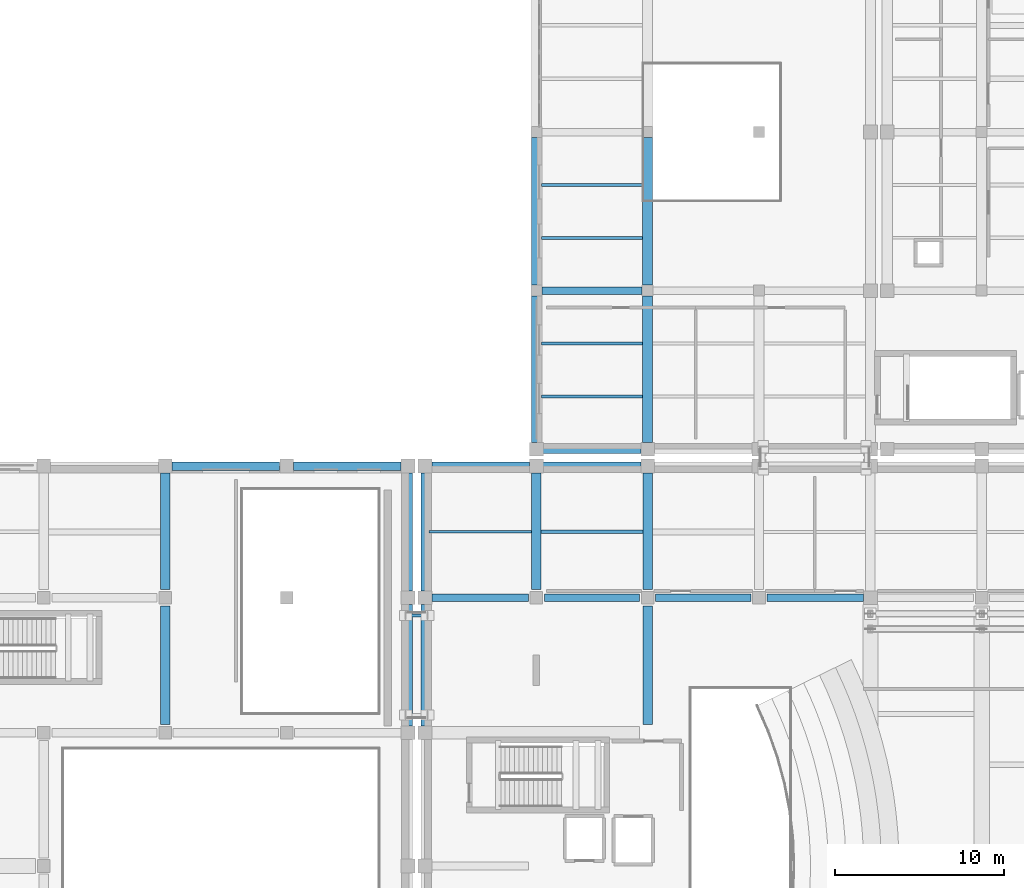
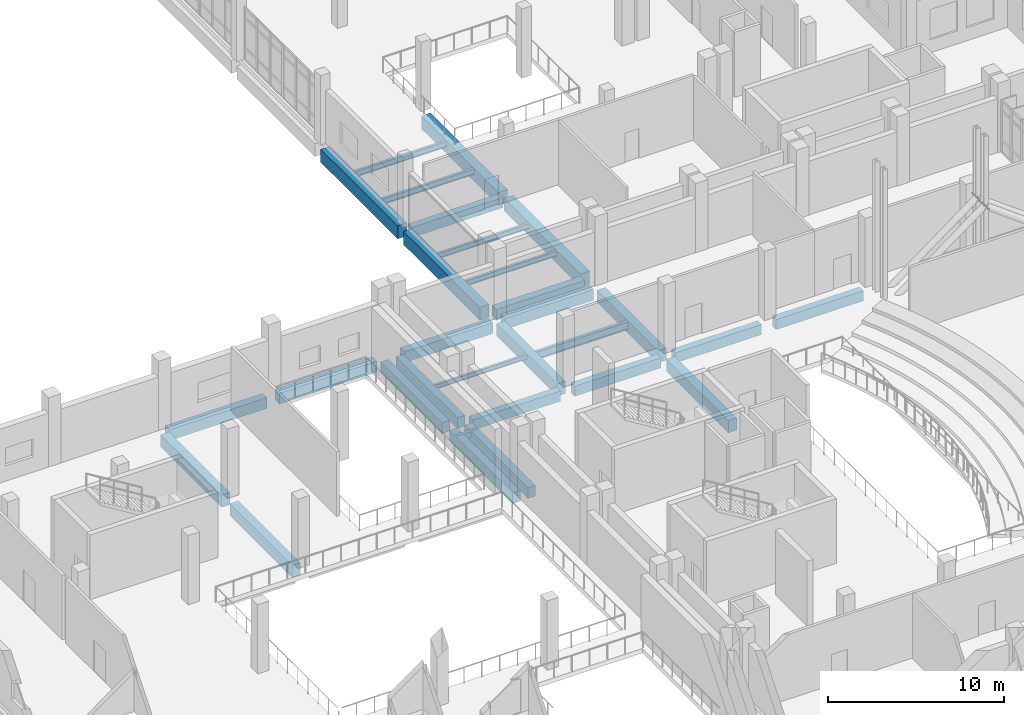
# One storey, part 25 of 73: 30 beams.
"""IFC4 building model written with IfcOpenShell, lengths in metres."""

from ifc_helpers import new_model, si_unit, direction, frame, origin, origin_2d, place, context, subcontext, project, spatial, rectangle, hollow_rectangle, i_section, extrude, material, material_profile, profile_set, type_object, element, save


model = new_model("IFC4")

# Units and contexts
model_context = context("Model", 3, precision=1e-05, world=origin(), true_north=direction((0.0, 1.0)))
body_context = subcontext(model_context, "Body", "Model", "MODEL_VIEW")
ifc_project = project(units=[si_unit("LENGTHUNIT", "METRE"), si_unit("AREAUNIT", "SQUARE_METRE"), si_unit("VOLUMEUNIT", "CUBIC_METRE"), si_unit("PLANEANGLEUNIT", "RADIAN"), si_unit("MASSUNIT", "GRAM", prefix="KILO")], contexts=[model_context])

# Site, building, storey
site_placement = place(None, origin())
site = spatial("IfcSite", under=ifc_project, at=site_placement, CompositionType="ELEMENT")
building_placement = place(site_placement, origin())
building = spatial("IfcBuilding", under=site, at=building_placement, Name="Kelarvand Opera House", CompositionType="ELEMENT")
storey_placement = place(building_placement, frame((0.0, 0.0, 10.199951171875)))
storey = spatial("IfcBuildingStorey", under=building, at=storey_placement, Name="L02", CompositionType="ELEMENT", Elevation=10.199951171875)

# Beams
ifc_material_1 = material(Name="Concrete C40/50", Category="concrete")
ifc_material_profile_1 = material_profile(ifc_material_1, rectangle(XDim=0.449951171875, YDim=0.699951171875, at=origin_2d()), Name="RC 450x700", Category="concrete")
ifc_profile_set_1 = profile_set([ifc_material_profile_1], Name="Concrete C40/50")
beam_type_1 = type_object("IfcBeamType", Name="Structural Beam RC 450x700 BM-RC450x700", PredefinedType="BEAM", material=ifc_profile_set_1)
beam_1_placement = place(storey_placement, frame((89.409912109375, 78.39990234375, -0.669921875), z_axis=(1.0, 0.0, 0.0), x_axis=(0.0, 1.0, 0.0)))
element("IfcBeam", 1, at=beam_1_placement, inside=storey, type_object=beam_type_1, Name="V1 L02 Beam BM-RC450x700", PredefinedType="BEAM", context=body_context, shape_type="SweptSolid", body=[
    extrude(rectangle(XDim=0.449951171875, YDim=0.699951171875, at=origin_2d()), origin(), (0.0, 0.0, 1.0), 5.715087890625),
])
beam_2_placement = place(storey_placement, frame((96.074951171875, 78.39990234375, -0.669921875), z_axis=(1.0, 0.0, 0.0), x_axis=(0.0, 1.0, 0.0)))
element("IfcBeam", 2, at=beam_2_placement, inside=storey, type_object=beam_type_1, Name="V1 L02 Beam BM-RC450x700", PredefinedType="BEAM", context=body_context, shape_type="SweptSolid", body=[
    extrude(rectangle(XDim=0.449951171875, YDim=0.699951171875, at=origin_2d()), origin(), (0.0, 0.0, 1.0), 5.650146484375),
])
beam_3_placement = place(storey_placement, frame((102.675048828125, 78.39990234375, -0.669921875), z_axis=(1.0, 0.0, 0.0), x_axis=(0.0, 1.0, 0.0)))
element("IfcBeam", 3, at=beam_3_placement, inside=storey, type_object=beam_type_1, Name="V1 L02 Beam BM-RC450x700", PredefinedType="BEAM", context=body_context, shape_type="SweptSolid", body=[
    extrude(rectangle(XDim=0.449951171875, YDim=0.699951171875, at=origin_2d()), origin(), (0.0, 0.0, 1.0), 5.64990234375),
])
beam_4_placement = place(storey_placement, frame((109.27490234375, 78.39990234375, -0.669921875), z_axis=(1.0, 0.0, 0.0), x_axis=(0.0, 1.0, 0.0)))
element("IfcBeam", 4, at=beam_4_placement, inside=storey, type_object=beam_type_1, Name="V1 L02 Beam BM-RC450x700", PredefinedType="BEAM", context=body_context, shape_type="SweptSolid", body=[
    extrude(rectangle(XDim=0.449951171875, YDim=0.699951171875, at=origin_2d()), origin(), (0.0, 0.0, 1.0), 5.715087890625),
])
beam_5_placement = place(storey_placement, frame((95.925048828125, 96.60009765625, -0.64990234375), z_axis=(1.0, 0.0, 0.0), x_axis=(0.0, 1.0, 0.0)))
element("IfcBeam", 5, at=beam_5_placement, inside=storey, type_object=beam_type_1, Name="V5 L02 Beam BM-RC450x700", PredefinedType="BEAM", context=body_context, shape_type="SweptSolid", body=[
    extrude(rectangle(XDim=0.449951171875, YDim=0.699951171875, at=origin_2d()), origin(), (0.0, 0.0, 1.0), 5.949951171875),
])
ifc_material_profile_2 = material_profile(ifc_material_1, rectangle(XDim=0.550048828125, YDim=0.85009765625, at=origin_2d()), Name="RC 550x850", Category="concrete")
ifc_profile_set_2 = profile_set([ifc_material_profile_2], Name="Concrete C40/50")
beam_type_2 = type_object("IfcBeamType", Name="Structural Beam RC 550x850 BM-RC550x850", PredefinedType="BEAM", material=ifc_profile_set_2)
beam_6_placement = place(storey_placement, frame((95.60009765625, 78.875, -0.744873046875), z_axis=(0.0, 1.0, 0.0), x_axis=(-1.0, 0.0, 0.0)))
element("IfcBeam", 6, at=beam_6_placement, inside=storey, type_object=beam_type_2, Name="V1 L02 Beam BM-RC550x850", PredefinedType="BEAM", context=body_context, shape_type="SweptSolid", body=[
    extrude(rectangle(XDim=0.550048828125, YDim=0.85009765625, at=origin_2d()), origin(), (0.0, 0.0, 1.0), 6.9150390625),
])
beam_7_placement = place(storey_placement, frame((102.199951171875, 70.875, -0.744873046875), z_axis=(0.0, 1.0, 0.0), x_axis=(-1.0, 0.0, 0.0)))
element("IfcBeam", 7, at=beam_7_placement, inside=storey, type_object=beam_type_2, Name="V1 L02 Beam BM-RC550x850", PredefinedType="BEAM", context=body_context, shape_type="SweptSolid", body=[
    extrude(rectangle(XDim=0.550048828125, YDim=0.85009765625, at=origin_2d()), origin(), (0.0, 0.0, 1.0), 7.050048828125),
])
beam_8_placement = place(storey_placement, frame((102.199951171875, 78.875, -0.744873046875), z_axis=(0.0, 1.0, 0.0), x_axis=(-1.0, 0.0, 0.0)))
element("IfcBeam", 8, at=beam_8_placement, inside=storey, type_object=beam_type_2, Name="V1 L02 Beam BM-RC550x850", PredefinedType="BEAM", context=body_context, shape_type="SweptSolid", body=[
    extrude(rectangle(XDim=0.550048828125, YDim=0.85009765625, at=origin_2d()), origin(), (0.0, 0.0, 1.0), 6.9150390625),
])
beam_9_placement = place(storey_placement, frame((73.60009765625, 70.875, -0.744873046875), z_axis=(0.0, 1.0, 0.0), x_axis=(-1.0, 0.0, 0.0)))
element("IfcBeam", 9, at=beam_9_placement, inside=storey, type_object=beam_type_2, Name="V2 L02 Beam BM-RC550x850", PredefinedType="BEAM", context=body_context, shape_type="SweptSolid", body=[
    extrude(rectangle(XDim=0.550048828125, YDim=0.85009765625, at=origin_2d()), origin(), (0.0, 0.0, 1.0), 7.050048828125),
])
beam_10_placement = place(storey_placement, frame((73.60009765625, 78.875, -0.744873046875), z_axis=(0.0, 1.0, 0.0), x_axis=(-1.0, 0.0, 0.0)))
element("IfcBeam", 10, at=beam_10_placement, inside=storey, type_object=beam_type_2, Name="V2 L02 Beam BM-RC550x850", PredefinedType="BEAM", context=body_context, shape_type="SweptSolid", body=[
    extrude(rectangle(XDim=0.550048828125, YDim=0.85009765625, at=origin_2d()), origin(), (0.0, 0.0, 1.0), 6.9150390625),
])
ifc_material_profile_3 = material_profile(ifc_material_1, rectangle(XDim=0.60009765625, YDim=0.89990234375, at=origin_2d()), Name="RC 600x900", Category="concrete")
ifc_profile_set_3 = profile_set([ifc_material_profile_3], Name="Concrete C40/50")
beam_type_3 = type_object("IfcBeamType", Name="Structural Beam RC 600x900 BM-RC600x900", PredefinedType="BEAM", material=ifc_profile_set_3)
beam_11_placement = place(storey_placement, frame((102.199951171875, 87.610107421875, -0.75), z_axis=(0.0, 1.0, 0.0), x_axis=(-1.0, 0.0, 0.0)))
element("IfcBeam", 11, at=beam_11_placement, inside=storey, type_object=beam_type_3, Name="V5 L02 Beam BM-RC600x900", PredefinedType="BEAM", context=body_context, shape_type="SweptSolid", body=[
    extrude(rectangle(XDim=0.60009765625, YDim=0.89990234375, at=origin_2d()), origin(), (0.0, 0.0, 1.0), 8.664794921875),
])
beam_12_placement = place(storey_placement, frame((102.199951171875, 96.925048828125, -0.75), z_axis=(0.0, 1.0, 0.0), x_axis=(-1.0, 0.0, 0.0)))
element("IfcBeam", 12, at=beam_12_placement, inside=storey, type_object=beam_type_3, Name="V5 L02 Beam BM-RC600x900", PredefinedType="BEAM", context=body_context, shape_type="SweptSolid", body=[
    extrude(rectangle(XDim=0.60009765625, YDim=0.89990234375, at=origin_2d()), origin(), (0.0, 0.0, 1.0), 8.75),
])
ifc_material_2 = material(Name="Steel S355", Category="steel")
ifc_material_profile_4 = material_profile(ifc_material_2, hollow_rectangle(XDim=0.199951171875, YDim=0.39990234375, WallThickness=0.01611328125, at=origin_2d()), Name="RHS 400x200x16.0", Category="steel")
ifc_profile_set_4 = profile_set([ifc_material_profile_4], Name="Steel S355")
beam_type_4 = type_object("IfcBeamType", Name="Structural Beam RHS 400x200x16.0 BM-RHS400", PredefinedType="BEAM", material=ifc_profile_set_4)
beam_13_placement = place(storey_placement, frame((87.85009765625, 77.35009765625, -0.52001953125), z_axis=(1.0, 0.0, 0.0), x_axis=(0.0, 1.0, 0.0)))
element("IfcBeam", 13, at=beam_13_placement, inside=storey, type_object=beam_type_4, Name="Seismic Sliding Corbel Beam BR-JP-N L02 2", PredefinedType="BEAM", context=body_context, shape_type="SweptSolid", body=[
    extrude(hollow_rectangle(XDim=0.199951171875, YDim=0.39990234375, WallThickness=0.01611328125, at=origin_2d()), origin(), (0.0, 0.0, 1.0), 1.2998046875),
])
ifc_material_profile_5 = material_profile(ifc_material_2, i_section(OverallWidth=0.14990234375, OverallDepth=0.300048828125, WebThickness=0.007080078125, FlangeThickness=0.0107421875, at=origin_2d()), Name="IPE 300", Category="steel")
ifc_profile_set_5 = profile_set([ifc_material_profile_5], Name="Steel S355")
beam_type_5 = type_object("IfcBeamType", Name="Structural Joist IPE 300 JS-IPE300", PredefinedType="JOIST", material=ifc_profile_set_5)
beam_14_placement = place(storey_placement, frame((89.25, 82.300048828125, -0.469970703125), z_axis=(1.0, 0.0, 0.0), x_axis=(0.0, 1.0, 0.0)))
element("IfcBeam", 14, at=beam_14_placement, inside=storey, type_object=beam_type_5, Name="V1 L02 Beam JS-IPE300", PredefinedType="JOIST", context=body_context, shape_type="SweptSolid", body=[
    extrude(i_section(OverallWidth=0.14990234375, OverallDepth=0.300048828125, WebThickness=0.007080078125, FlangeThickness=0.0107421875, at=origin_2d()), origin(), (0.0, 0.0, 1.0), 6.074951171875),
])
ifc_material_profile_6 = material_profile(ifc_material_2, i_section(OverallWidth=0.169921875, OverallDepth=0.360107421875, WebThickness=0.008056640625, FlangeThickness=0.0126953125, at=origin_2d()), Name="IPE 360", Category="steel")
ifc_profile_set_6 = profile_set([ifc_material_profile_6], Name="Steel S355")
beam_type_6 = type_object("IfcBeamType", Name="Structural Joist IPE 360 JS-IPE360", PredefinedType="JOIST", material=ifc_profile_set_6)
for number, where, z_axis, x_axis, name in (
    (15, (95.89990234375, 90.333251953125, -0.47998046875), (1.0, 0.0, 0.0), (0.0, 1.0, 0.0), "V5 L02 Beam JS-IPE360"),
    (16, (95.89990234375, 93.466796875, -0.47998046875), (1.0, 0.0, 0.0), (0.0, 1.0, 0.0), "V5 L02 Beam JS-IPE360"),
):
    element("IfcBeam", number, at=place(storey_placement, frame(where, z_axis=z_axis, x_axis=x_axis)), inside=storey, type_object=beam_type_6, Name=name, PredefinedType="JOIST", context=body_context, shape_type="SweptSolid", body=[
        extrude(i_section(OverallWidth=0.169921875, OverallDepth=0.360107421875, WebThickness=0.008056640625, FlangeThickness=0.0126953125, at=origin_2d()), origin(), (0.0, 0.0, 1.0), 6.0),
    ])
ifc_material_profile_7 = material_profile(ifc_material_2, i_section(OverallWidth=0.179931640625, OverallDepth=0.39990234375, WebThickness=0.008544921875, FlangeThickness=0.013427734375, at=origin_2d()), Name="IPE 400", Category="steel")
ifc_profile_set_7 = profile_set([ifc_material_profile_7], Name="Steel S355")
beam_type_7 = type_object("IfcBeamType", Name="Structural Joist IPE 400 JS-IPE400", PredefinedType="JOIST", material=ifc_profile_set_7)
for number, where, z_axis, x_axis, name in (
    (17, (95.89990234375, 99.7333984375, -0.5), (1.0, 0.0, 0.0), (0.0, 1.0, 0.0), "V5 L02 Beam JS-IPE400"),
    (18, (95.89990234375, 102.86669921875, -0.5), (1.0, 0.0, 0.0), (0.0, 1.0, 0.0), "V5 L02 Beam JS-IPE400"),
):
    element("IfcBeam", number, at=place(storey_placement, frame(where, z_axis=z_axis, x_axis=x_axis)), inside=storey, type_object=beam_type_7, Name=name, PredefinedType="JOIST", context=body_context, shape_type="SweptSolid", body=[
        extrude(i_section(OverallWidth=0.179931640625, OverallDepth=0.39990234375, WebThickness=0.008544921875, FlangeThickness=0.013427734375, at=origin_2d()), origin(), (0.0, 0.0, 1.0), 6.0),
    ])
ifc_material_profile_8 = material_profile(ifc_material_2, i_section(OverallWidth=0.2099609375, OverallDepth=0.550048828125, WebThickness=0.010986328125, FlangeThickness=0.01708984375, at=origin_2d()), Name="IPE 550", Category="steel")
ifc_profile_set_8 = profile_set([ifc_material_profile_8], Name="Steel S355")
beam_type_8 = type_object("IfcBeamType", Name="Structural Joist IPE 550 JS-IPE550", PredefinedType="JOIST", material=ifc_profile_set_8)
beam_15_placement = place(storey_placement, frame((95.875, 82.300048828125, -0.594970703125), z_axis=(1.0, 0.0, 0.0), x_axis=(0.0, 1.0, 0.0)))
element("IfcBeam", 19, at=beam_15_placement, inside=storey, type_object=beam_type_8, Name="V1 L02 Beam JS-IPE550", PredefinedType="JOIST", context=body_context, shape_type="SweptSolid", body=[
    extrude(i_section(OverallWidth=0.2099609375, OverallDepth=0.550048828125, WebThickness=0.010986328125, FlangeThickness=0.01708984375, at=origin_2d()), origin(), (0.0, 0.0, 1.0), 6.050048828125),
])
ifc_material_profile_9 = material_profile(ifc_material_1, rectangle(XDim=0.5, YDim=0.75, at=origin_2d()), Name="RC 500x750", Category="concrete")
ifc_profile_set_9 = profile_set([ifc_material_profile_9], Name="Concrete C40/50")
beam_type_9 = type_object("IfcBeamType", Name="Structural Spandrel RC 500x750 SP-RC500x750E", PredefinedType="SPANDREL", material=ifc_profile_set_9)
for number, where, z_axis, x_axis, name in (
    (20, (89.409912109375, 86.199951171875, -0.695068359375), (1.0, 0.0, 0.0), (0.0, 1.0, 0.0), "V1 L02 Beam SP-RC500x750E"),
    (21, (96.010009765625, 86.199951171875, -0.695068359375), (1.0, 0.0, 0.0), (0.0, 1.0, 0.0), "V1 L02 Beam SP-RC500x750E"),
):
    element("IfcBeam", number, at=place(storey_placement, frame(where, z_axis=z_axis, x_axis=x_axis)), inside=storey, type_object=beam_type_9, Name=name, PredefinedType="SPANDREL", context=body_context, shape_type="SweptSolid", body=[
        extrude(rectangle(XDim=0.5, YDim=0.75, at=origin_2d()), origin(), (0.0, 0.0, 1.0), 5.780029296875),
    ])
beam_16_placement = place(storey_placement, frame((89.0, 70.81005859375, -0.695068359375), z_axis=(0.0, 1.0, 0.0), x_axis=(-1.0, 0.0, 0.0)))
element("IfcBeam", 22, at=beam_16_placement, inside=storey, type_object=beam_type_9, Name="V1 L02 Beam SP-RC500x750E", PredefinedType="SPANDREL", context=body_context, shape_type="SweptSolid", body=[
    extrude(rectangle(XDim=0.5, YDim=0.75, at=origin_2d()), origin(), (0.0, 0.0, 1.0), 7.179931640625),
])
beam_17_placement = place(storey_placement, frame((89.0, 78.81005859375, -0.695068359375), z_axis=(0.0, 1.0, 0.0), x_axis=(-1.0, 0.0, 0.0)))
element("IfcBeam", 23, at=beam_17_placement, inside=storey, type_object=beam_type_9, Name="V1 L02 Beam SP-RC500x750E", PredefinedType="SPANDREL", context=body_context, shape_type="SweptSolid", body=[
    extrude(rectangle(XDim=0.5, YDim=0.75, at=origin_2d()), origin(), (0.0, 0.0, 1.0), 6.97998046875),
])
beam_18_placement = place(storey_placement, frame((74.010009765625, 86.199951171875, -0.695068359375), z_axis=(1.0, 0.0, 0.0), x_axis=(0.0, 1.0, 0.0)))
element("IfcBeam", 24, at=beam_18_placement, inside=storey, type_object=beam_type_9, Name="V2 L02 Beam SP-RC500x750E", PredefinedType="SPANDREL", context=body_context, shape_type="SweptSolid", body=[
    extrude(rectangle(XDim=0.5, YDim=0.75, at=origin_2d()), origin(), (0.0, 0.0, 1.0), 6.3798828125),
])
beam_19_placement = place(storey_placement, frame((81.2099609375, 86.199951171875, -0.695068359375), z_axis=(1.0, 0.0, 0.0), x_axis=(0.0, 1.0, 0.0)))
element("IfcBeam", 25, at=beam_19_placement, inside=storey, type_object=beam_type_9, Name="V2 L02 Beam SP-RC500x750E", PredefinedType="SPANDREL", context=body_context, shape_type="SweptSolid", body=[
    extrude(rectangle(XDim=0.5, YDim=0.75, at=origin_2d()), origin(), (0.0, 0.0, 1.0), 6.380126953125),
])
beam_20_placement = place(storey_placement, frame((88.0, 70.81005859375, -0.695068359375), z_axis=(0.0, 1.0, 0.0), x_axis=(-1.0, 0.0, 0.0)))
element("IfcBeam", 26, at=beam_20_placement, inside=storey, type_object=beam_type_9, Name="V2 L02 Beam SP-RC500x750E", PredefinedType="SPANDREL", context=body_context, shape_type="SweptSolid", body=[
    extrude(rectangle(XDim=0.5, YDim=0.75, at=origin_2d()), origin(), (0.0, 0.0, 1.0), 7.179931640625),
])
beam_21_placement = place(storey_placement, frame((88.0, 78.81005859375, -0.695068359375), z_axis=(0.0, 1.0, 0.0), x_axis=(-1.0, 0.0, 0.0)))
element("IfcBeam", 27, at=beam_21_placement, inside=storey, type_object=beam_type_9, Name="V2 L02 Beam SP-RC500x750E", PredefinedType="SPANDREL", context=body_context, shape_type="SweptSolid", body=[
    extrude(rectangle(XDim=0.5, YDim=0.75, at=origin_2d()), origin(), (0.0, 0.0, 1.0), 6.97998046875),
])
beam_22_placement = place(storey_placement, frame((96.010009765625, 87.199951171875, -0.675048828125), z_axis=(1.0, 0.0, 0.0), x_axis=(0.0, 1.0, 0.0)))
element("IfcBeam", 28, at=beam_22_placement, inside=storey, type_object=beam_type_9, Name="V5 L02 Beam SP-RC500x750E", PredefinedType="SPANDREL", context=body_context, shape_type="SweptSolid", body=[
    extrude(rectangle(XDim=0.5, YDim=0.75, at=origin_2d()), origin(), (0.0, 0.0, 1.0), 5.780029296875),
])
ifc_material_profile_10 = material_profile(ifc_material_1, rectangle(XDim=0.60009765625, YDim=0.89990234375, at=origin_2d()), Name="RC 600x900", Category="concrete")
ifc_profile_set_10 = profile_set([ifc_material_profile_10], Name="Concrete C40/50")
beam_type_10 = type_object("IfcBeamType", Name="Structural Spandrel RC 600x900 SP-RC600x900E", PredefinedType="SPANDREL", material=ifc_profile_set_10)
beam_23_placement = place(storey_placement, frame((95.60009765625, 87.610107421875, -0.75), z_axis=(0.0, 1.0, 0.0), x_axis=(-1.0, 0.0, 0.0)))
element("IfcBeam", 29, at=beam_23_placement, inside=storey, type_object=beam_type_10, Name="V5 L02 Beam SP-RC600x900E", PredefinedType="SPANDREL", context=body_context, shape_type="SweptSolid", body=[
    extrude(rectangle(XDim=0.60009765625, YDim=0.89990234375, at=origin_2d()), origin(), (0.0, 0.0, 1.0), 8.664794921875),
])
beam_24_placement = place(storey_placement, frame((95.60009765625, 96.925048828125, -0.75), z_axis=(0.0, 1.0, 0.0), x_axis=(-1.0, 0.0, 0.0)))
element("IfcBeam", 30, at=beam_24_placement, inside=storey, type_object=beam_type_10, Name="V5 L02 Beam SP-RC600x900E", PredefinedType="SPANDREL", context=body_context, shape_type="SweptSolid", body=[
    extrude(rectangle(XDim=0.60009765625, YDim=0.89990234375, at=origin_2d()), origin(), (0.0, 0.0, 1.0), 8.75),
])

save(model, "model.ifc")
